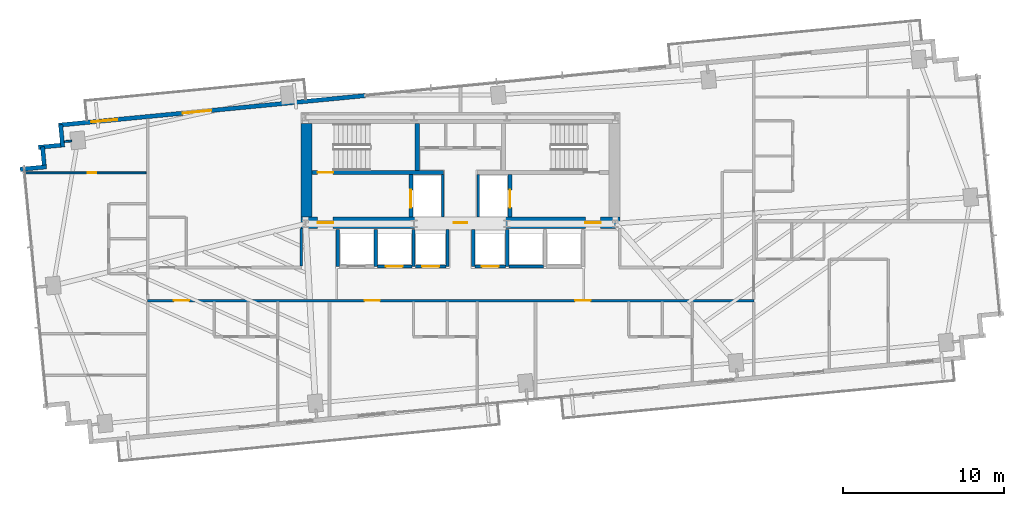
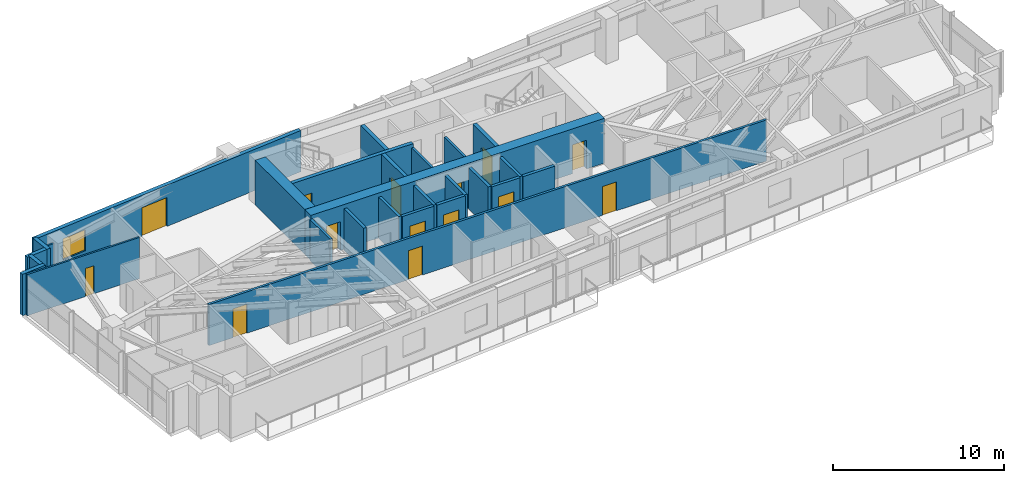
# One storey, part 22 of 27: 27 walls, 14 doors, 1 window, 15 openings.
"""IFC4 building model written with IfcOpenShell, lengths in metres."""

from ifc_helpers import new_model, si_unit, direction, frame, frame_2d, origin, place, context, subcontext, project, spatial, rectangle, extrude, source, transform, mapped, material, layer, layer_set, type_object, type_shapes, element, fill, save


model = new_model("IFC4")

# Units and contexts
model_context = context("Model", 3, precision=1e-05, world=origin(), true_north=direction((0.0, 1.0)))
body_context = subcontext(model_context, "Body", "Model", "MODEL_VIEW")
ifc_project = project(units=[si_unit("LENGTHUNIT", "METRE"), si_unit("AREAUNIT", "SQUARE_METRE"), si_unit("VOLUMEUNIT", "CUBIC_METRE"), si_unit("PLANEANGLEUNIT", "RADIAN"), si_unit("MASSUNIT", "GRAM", prefix="KILO")], contexts=[model_context])

# Site, building, storey
site_placement = place(None, origin())
site = spatial("IfcSite", under=ifc_project, at=site_placement, CompositionType="ELEMENT")
building_placement = place(site_placement, origin())
building = spatial("IfcBuilding", under=site, at=building_placement, Name="Astriad Promenade Condominiums", CompositionType="ELEMENT")
storey_placement = place(building_placement, frame((0.0, 0.0, 97.0)))
storey = spatial("IfcBuildingStorey", under=building, at=storey_placement, Name="L27", CompositionType="ELEMENT", Elevation=97.0)

# Wall, openings, doors
ifc_material_1 = material(Name="Concrete C60/75", Category="concrete")
ifc_layer_1 = layer(ifc_material_1, 0.699951171875)
ifc_layer_set_1 = layer_set([ifc_layer_1], Name="Concrete C60/75")
wall_type_1 = type_object("IfcWallType", Name="CW-SHEAR-700", PredefinedType="SHEAR", material=ifc_layer_set_1)
wall_1_placement = place(storey_placement, frame((26.10009765625, 17.449951171875, 0.0), z_axis=(0.0, 0.0, 1.0), x_axis=(1.0, 0.0, 0.0)))
wall_1 = element("IfcWall", 1, at=wall_1_placement, inside=storey, type_object=wall_type_1, Name="CW-CORE-S-L27", PredefinedType="SHEAR", context=body_context, shape_type="SweptSolid", body=[
    extrude(rectangle(XDim=19.7998046875, YDim=0.699951171875, at=frame_2d((9.89990234375, 0.0))), origin(), (0.0, 0.0, 1.0), 3.199951171875),
])
opening_1_placement = place(wall_1_placement, frame((1.050048828125, 0.0, 0.0)))
opening_1 = element("IfcOpeningElement", 2, at=opening_1_placement, cuts=wall_1, Name="Opening FD90-ST-095", PredefinedType="OPENING", context=body_context, shape_type="SweptSolid", body=[
    extrude(rectangle(XDim=0.949951171875, YDim=2.06005859375, at=frame_2d((0.47509765625, 1.030029296875))), frame((0.0, 0.35986328125, 0.0), z_axis=(0.0, -1.0, 0.0), x_axis=(1.0, 0.0, 0.0)), (0.0, 0.0, 1.0), 0.719970703125),
])
opening_2_placement = place(wall_1_placement, frame((9.47998046875, 0.0, 0.0)))
opening_2 = element("IfcOpeningElement", 3, at=opening_2_placement, cuts=wall_1, Name="Opening FD60-ULOW-085", PredefinedType="OPENING", context=body_context, shape_type="SweptSolid", body=[
    extrude(rectangle(XDim=0.85009765625, YDim=2.0, at=frame_2d((0.425048828125, 1.0))), frame((0.0, 0.35986328125, 0.0), z_axis=(0.0, -1.0, 0.0), x_axis=(1.0, 0.0, 0.0)), (0.0, 0.0, 1.0), 0.719970703125),
])
opening_3_placement = place(wall_1_placement, frame((17.64990234375, 0.0, 0.0)))
opening_3 = element("IfcOpeningElement", 4, at=opening_3_placement, cuts=wall_1, Name="Opening FD90-ST-095", PredefinedType="OPENING", context=body_context, shape_type="SweptSolid", body=[
    extrude(rectangle(XDim=0.949951171875, YDim=2.06005859375, at=frame_2d((0.47509765625, 1.030029296875))), frame((0.0, 0.35986328125, 0.0), z_axis=(0.0, -1.0, 0.0), x_axis=(1.0, 0.0, 0.0)), (0.0, 0.0, 1.0), 0.719970703125),
])
ifc_material_2 = material(Name="Fire-Rated Hollow Metal Stair Door")
door_type_1 = type_object("IfcDoorType", Name="FD90-ST-095", OperationType="NOTDEFINED", PredefinedType="DOOR", material=ifc_material_2)
shared_shape_1 = source(origin(), body_context, "Body", "SweptSolid", [
    extrude(rectangle(XDim=0.949951171875, YDim=2.06005859375, at=frame_2d((0.47509765625, 1.030029296875))), frame((0.0, 0.02490234375, 0.0), z_axis=(0.0, -1.0, 0.0), x_axis=(1.0, 0.0, 0.0)), (0.0, 0.0, 1.0), 0.050048828125),
])
type_shapes(door_type_1, [shared_shape_1])
door_1_placement = place(opening_1_placement, origin())
door_1 = element("IfcDoor", 5, at=door_1_placement, inside=storey, type_object=door_type_1, Name="D-FFW-L27", OperationType="SINGLE_SWING_LEFT", OverallHeight=2.06005859375, OverallWidth=0.949951171875, PredefinedType="DOOR", context=body_context, shape_type="MappedRepresentation", body=[
    mapped(shared_shape_1, transform((0.0, 0.0, 0.0), scale=1.0)),
])
fill(opening_1, door_1)
door_2_placement = place(opening_3_placement, origin())
door_2 = element("IfcDoor", 6, at=door_2_placement, inside=storey, type_object=door_type_1, Name="D-FFE-L27", OperationType="SINGLE_SWING_RIGHT", OverallHeight=2.06005859375, OverallWidth=0.949951171875, PredefinedType="DOOR", context=body_context, shape_type="MappedRepresentation", body=[
    mapped(shared_shape_1, transform((0.0, 0.0, 0.0), scale=1.0)),
])
fill(opening_3, door_2)
ifc_material_3 = material(Name="Solid-Core Low-Headroom Fire Door")
door_type_2 = type_object("IfcDoorType", Name="FD60-ULOW-085", OperationType="NOTDEFINED", PredefinedType="DOOR", material=ifc_material_3)
shared_shape_2 = source(origin(), body_context, "Body", "SweptSolid", [
    extrude(rectangle(XDim=0.85009765625, YDim=2.0, at=frame_2d((0.425048828125, 1.0))), frame((0.0, 0.02490234375, 0.0), z_axis=(0.0, -1.0, 0.0), x_axis=(1.0, 0.0, 0.0)), (0.0, 0.0, 1.0), 0.050048828125),
])
type_shapes(door_type_2, [shared_shape_2])
door_3_placement = place(opening_2_placement, origin())
door_3 = element("IfcDoor", 7, at=door_3_placement, inside=storey, type_object=door_type_2, Name="D-CSL-L27", OperationType="SINGLE_SWING_RIGHT", OverallHeight=2.0, OverallWidth=0.85009765625, PredefinedType="DOOR", context=body_context, shape_type="MappedRepresentation", body=[
    mapped(shared_shape_2, transform((0.0, 0.0, 0.0), scale=1.0)),
])
fill(opening_2, door_3)

# Wall
wall_2_placement = place(storey_placement, frame((26.449951171875, 17.802001953125, 0.0), z_axis=(0.0, 0.0, 1.0), x_axis=(0.0, 1.0, 0.0)))
element("IfcWall", 8, at=wall_2_placement, inside=storey, type_object=wall_type_1, Name="CW-CORE-W-L27", PredefinedType="SHEAR", context=body_context, shape_type="SweptSolid", body=[
    extrude(rectangle(XDim=5.7958984375, YDim=0.699951171875, at=frame_2d((2.89794921875, 0.0))), origin(), (0.0, 0.0, 1.0), 3.199951171875),
])

# Wall, opening, door
ifc_material_4 = material(Name="Concrete C50/60", Category="concrete")
ifc_layer_2 = layer(ifc_material_4, 0.25)
ifc_layer_set_2 = layer_set([ifc_layer_2], Name="Concrete C50/60")
wall_type_2 = type_object("IfcWallType", Name="WALL-CORE-INT-250", PredefinedType="SOLIDWALL", material=ifc_layer_set_2)
wall_3_placement = place(storey_placement, frame((26.802001953125, 20.574951171875, 0.0), z_axis=(0.0, 0.0, 1.0), x_axis=(1.0, 0.0, 0.0)))
wall_3 = element("IfcWall", 9, at=wall_3_placement, inside=storey, type_object=wall_type_2, Name="CW-INT-H1-L27", PredefinedType="SOLIDWALL", context=body_context, shape_type="SweptSolid", body=[
    extrude(rectangle(XDim=8.14794921875, YDim=0.25, at=frame_2d((4.073974609375, 0.0))), origin(), (0.0, 0.0, 1.0), 3.199951171875),
])
opening_4_placement = place(wall_3_placement, frame((0.347900390625, 0.0, 0.0)))
opening_4 = element("IfcOpeningElement", 10, at=opening_4_placement, cuts=wall_3, Name="Opening FD90-ST-095", PredefinedType="OPENING", context=body_context, shape_type="SweptSolid", body=[
    extrude(rectangle(XDim=0.949951171875, YDim=2.06005859375, at=frame_2d((0.47509765625, 1.030029296875))), frame((0.0, 0.135009765625, 0.0), z_axis=(0.0, -1.0, 0.0), x_axis=(1.0, 0.0, 0.0)), (0.0, 0.0, 1.0), 0.27001953125),
])
door_4_placement = place(opening_4_placement, origin())
door_4 = element("IfcDoor", 11, at=door_4_placement, inside=storey, type_object=door_type_1, Name="D-ST1-L27", OperationType="SINGLE_SWING_RIGHT", OverallHeight=2.06005859375, OverallWidth=0.949951171875, PredefinedType="DOOR", context=body_context, shape_type="MappedRepresentation", body=[
    mapped(shared_shape_1, transform((0.0, 0.0, 0.0), scale=1.0)),
])
fill(opening_4, door_4)

# Wall
wall_4_placement = place(storey_placement, frame((33.324951171875, 20.701904296875, 0.0), z_axis=(0.0, 0.0, 1.0), x_axis=(0.0, 1.0, 0.0)))
element("IfcWall", 12, at=wall_4_placement, inside=storey, type_object=wall_type_2, Name="CW-ST1-E-L27", PredefinedType="SOLIDWALL", context=body_context, shape_type="SweptSolid", body=[
    extrude(rectangle(XDim=2.89599609375, YDim=0.25, at=frame_2d((1.447998046875, 0.0))), origin(), (0.0, 0.0, 1.0), 3.199951171875),
])

# Wall, opening, door
wall_5_placement = place(storey_placement, frame((32.925048828125, 17.802001953125, 0.0), z_axis=(0.0, 0.0, 1.0), x_axis=(0.0, 1.0, 0.0)))
wall_5 = element("IfcWall", 13, at=wall_5_placement, inside=storey, type_object=wall_type_2, Name="CW-FFL1-W-L27", PredefinedType="SOLIDWALL", context=body_context, shape_type="SweptSolid", body=[
    extrude(rectangle(XDim=2.64599609375, YDim=0.25, at=frame_2d((1.322998046875, 0.0))), origin(), (0.0, 0.0, 1.0), 3.199951171875),
])
opening_5_placement = place(wall_5_placement, frame((0.597900390625, 0.0, 0.0)))
opening_5 = element("IfcOpeningElement", 14, at=opening_5_placement, cuts=wall_5, Name="Opening LD-FFL-1122", PredefinedType="OPENING", context=body_context, shape_type="SweptSolid", body=[
    extrude(rectangle(XDim=1.10009765625, YDim=2.080078125, at=frame_2d((0.550048828125, 1.0400390625))), frame((0.0, 0.135009765625, 0.0), z_axis=(0.0, -1.0, 0.0), x_axis=(1.0, 0.0, 0.0)), (0.0, 0.0, 1.0), 0.27001953125),
])
ifc_material_5 = material(Name="Brushed Stainless Steel Fire Elevator Landing Door", Category="steel")
door_type_3 = type_object("IfcDoorType", Name="LD-FFL-1122", OperationType="NOTDEFINED", PredefinedType="DOOR", material=ifc_material_5)
shared_shape_3 = source(origin(), body_context, "Body", "SweptSolid", [
    extrude(rectangle(XDim=1.10009765625, YDim=2.080078125, at=frame_2d((0.550048828125, 1.0400390625))), frame((0.0, 0.02490234375, 0.0), z_axis=(0.0, -1.0, 0.0), x_axis=(1.0, 0.0, 0.0)), (0.0, 0.0, 1.0), 0.050048828125),
])
type_shapes(door_type_3, [shared_shape_3])
door_5_placement = place(opening_5_placement, origin())
door_5 = element("IfcDoor", 15, at=door_5_placement, inside=storey, type_object=door_type_3, Name="Elevator Landing Door FFL-1 (L27)", OperationType="SLIDING_TO_LEFT", OverallHeight=2.080078125, OverallWidth=1.10009765625, PredefinedType="DOOR", context=body_context, shape_type="MappedRepresentation", body=[
    mapped(shared_shape_3, transform((0.0, 0.0, 0.0), scale=1.0)),
])
fill(opening_5, door_5)

wall_6_placement = place(storey_placement, frame((39.074951171875, 17.802001953125, 0.0), z_axis=(0.0, 0.0, 1.0), x_axis=(0.0, 1.0, 0.0)))
wall_6 = element("IfcWall", 16, at=wall_6_placement, inside=storey, type_object=wall_type_2, Name="CW-FFL2-E-L27", PredefinedType="SOLIDWALL", context=body_context, shape_type="SweptSolid", body=[
    extrude(rectangle(XDim=2.64599609375, YDim=0.25, at=frame_2d((1.322998046875, 0.0))), origin(), (0.0, 0.0, 1.0), 3.199951171875),
])
opening_6_placement = place(wall_6_placement, frame((0.597900390625, 0.0, 0.0)))
opening_6 = element("IfcOpeningElement", 17, at=opening_6_placement, cuts=wall_6, Name="Opening LD-FFL-1122", PredefinedType="OPENING", context=body_context, shape_type="SweptSolid", body=[
    extrude(rectangle(XDim=1.10009765625, YDim=2.080078125, at=frame_2d((0.550048828125, 1.0400390625))), frame((0.0, 0.135009765625, 0.0), z_axis=(0.0, -1.0, 0.0), x_axis=(1.0, 0.0, 0.0)), (0.0, 0.0, 1.0), 0.27001953125),
])
door_6_placement = place(opening_6_placement, origin())
door_6 = element("IfcDoor", 18, at=door_6_placement, inside=storey, type_object=door_type_3, Name="Elevator Landing Door FFL-2 (L27)", OperationType="SLIDING_TO_RIGHT", OverallHeight=2.080078125, OverallWidth=1.10009765625, PredefinedType="DOOR", context=body_context, shape_type="MappedRepresentation", body=[
    mapped(shared_shape_3, transform((0.0, 0.0, 0.0), scale=1.0)),
])
fill(opening_6, door_6)

# Walls
ifc_material_6 = material(Name="Fire-Rated Gypsum Partition")
ifc_layer_3 = layer(ifc_material_6, 0.159912109375)
ifc_layer_set_3 = layer_set([ifc_layer_3], Name="Fire-Rated Gypsum Partition")
wall_type_3 = type_object("IfcWallType", Name="WALL-CORR-160", PredefinedType="PARTITIONING", material=ifc_layer_set_3)
for number, where, z_axis, x_axis, name in (
    (19, (34.89990234375, 17.802001953125, 0.0), (0.0, 0.0, 1.0), (0.0, 1.0, 0.0), "CW-FFL1-E-L27"),
    (20, (37.10009765625, 17.802001953125, 0.0), (0.0, 0.0, 1.0), (0.0, 1.0, 0.0), "CW-FFL2-W-L27"),
):
    element("IfcWall", number, at=place(storey_placement, frame(where, z_axis=z_axis, x_axis=x_axis)), inside=storey, type_object=wall_type_3, Name=name, PredefinedType="PARTITIONING", context=body_context, shape_type="SweptSolid", body=[
        extrude(rectangle(XDim=2.64599609375, YDim=0.159912109375, at=frame_2d((1.322998046875, 0.0))), origin(), (0.0, 0.0, 1.0), 2.93994140625),
    ])

# Wall, openings, doors
wall_7_placement = place(storey_placement, frame((16.60009765625, 12.6298828125, 0.0), z_axis=(0.0, 0.0, 1.0), x_axis=(1.0, 0.0, 0.0)))
wall_7 = element("IfcWall", 21, at=wall_7_placement, inside=storey, type_object=wall_type_3, Name="PT-COR-S-L27", PredefinedType="PARTITIONING", context=body_context, shape_type="SweptSolid", body=[
    extrude(rectangle(XDim=37.599853515625, YDim=0.159912109375, at=frame_2d((18.7998046875, 0.0))), origin(), (0.0, 0.0, 1.0), 2.93994140625),
])
opening_7_placement = place(wall_7_placement, frame((1.6259765625, 0.0, 0.0)))
opening_7 = element("IfcOpeningElement", 22, at=opening_7_placement, cuts=wall_7, Name="Opening FD60-APT-095", PredefinedType="OPENING", context=body_context, shape_type="SweptSolid", body=[
    extrude(rectangle(XDim=0.949951171875, YDim=2.06005859375, at=frame_2d((0.47509765625, 1.030029296875))), frame((0.0, 0.08984375, 0.0), z_axis=(0.0, -1.0, 0.0), x_axis=(1.0, 0.0, 0.0)), (0.0, 0.0, 1.0), 0.179931640625),
])
opening_8_placement = place(wall_7_placement, frame((13.4599609375, 0.0, 0.0)))
opening_8 = element("IfcOpeningElement", 23, at=opening_8_placement, cuts=wall_7, Name="Opening FD60-APT-095", PredefinedType="OPENING", context=body_context, shape_type="SweptSolid", body=[
    extrude(rectangle(XDim=0.949951171875, YDim=2.06005859375, at=frame_2d((0.47509765625, 1.030029296875))), frame((0.0, 0.08984375, 0.0), z_axis=(0.0, -1.0, 0.0), x_axis=(1.0, 0.0, 0.0)), (0.0, 0.0, 1.0), 0.179931640625),
])
opening_9_placement = place(wall_7_placement, frame((26.52197265625, 0.0, 0.0)))
opening_9 = element("IfcOpeningElement", 24, at=opening_9_placement, cuts=wall_7, Name="Opening FD60-APT-095", PredefinedType="OPENING", context=body_context, shape_type="SweptSolid", body=[
    extrude(rectangle(XDim=0.949951171875, YDim=2.06005859375, at=frame_2d((0.47509765625, 1.030029296875))), frame((0.0, 0.08984375, 0.0), z_axis=(0.0, -1.0, 0.0), x_axis=(1.0, 0.0, 0.0)), (0.0, 0.0, 1.0), 0.179931640625),
])
ifc_material_7 = material(Name="Solid-Core Acoustic Timber Residence Entry Door", Category="wood")
door_type_4 = type_object("IfcDoorType", Name="FD60-APT-095", OperationType="NOTDEFINED", PredefinedType="DOOR", material=ifc_material_7)
shared_shape_4 = source(origin(), body_context, "Body", "SweptSolid", [
    extrude(rectangle(XDim=0.949951171875, YDim=2.06005859375, at=frame_2d((0.47509765625, 1.030029296875))), frame((0.0, 0.02490234375, 0.0), z_axis=(0.0, -1.0, 0.0), x_axis=(1.0, 0.0, 0.0)), (0.0, 0.0, 1.0), 0.050048828125),
])
type_shapes(door_type_4, [shared_shape_4])
door_7_placement = place(opening_7_placement, origin())
door_7 = element("IfcDoor", 25, at=door_7_placement, inside=storey, type_object=door_type_4, Name="D-ENT-L27-S1", OperationType="SINGLE_SWING_LEFT", OverallHeight=2.06005859375, OverallWidth=0.949951171875, PredefinedType="DOOR", context=body_context, shape_type="MappedRepresentation", body=[
    mapped(shared_shape_4, transform((0.0, 0.0, 0.0), scale=1.0)),
])
fill(opening_7, door_7)
door_8_placement = place(opening_8_placement, origin())
door_8 = element("IfcDoor", 26, at=door_8_placement, inside=storey, type_object=door_type_4, Name="D-ENT-L27-S2", OperationType="SINGLE_SWING_LEFT", OverallHeight=2.06005859375, OverallWidth=0.949951171875, PredefinedType="DOOR", context=body_context, shape_type="MappedRepresentation", body=[
    mapped(shared_shape_4, transform((0.0, 0.0, 0.0), scale=1.0)),
])
fill(opening_8, door_8)
door_9_placement = place(opening_9_placement, origin())
door_9 = element("IfcDoor", 27, at=door_9_placement, inside=storey, type_object=door_type_4, Name="D-ENT-L27-S3", OperationType="SINGLE_SWING_LEFT", OverallHeight=2.06005859375, OverallWidth=0.949951171875, PredefinedType="DOOR", context=body_context, shape_type="MappedRepresentation", body=[
    mapped(shared_shape_4, transform((0.0, 0.0, 0.0), scale=1.0)),
])
fill(opening_9, door_9)

# Walls
wall_8_placement = place(storey_placement, frame((26.1201171875, 14.761962890625, 0.0), z_axis=(0.0, 0.0, 1.0), x_axis=(0.0, 1.0, 0.0)))
element("IfcWall", 28, at=wall_8_placement, inside=storey, type_object=wall_type_3, Name="PT-WSPUR-W-L27", PredefinedType="PARTITIONING", context=body_context, shape_type="SweptSolid", body=[
    extrude(rectangle(XDim=2.3359375, YDim=0.159912109375, at=frame_2d((1.16796875, 0.0))), origin(), (0.0, 0.0, 1.0), 2.93994140625),
])
ifc_material_8 = material(Name="Precast concrete C50/60", Category="concrete")
ifc_layer_4 = layer(ifc_material_8, 0.260009765625)
ifc_layer_set_4 = layer_set([ifc_layer_4], Name="Precast concrete C50/60")
wall_type_4 = type_object("IfcWallType", Name="WALL-EXT-TWR-260", PredefinedType="STANDARD", material=ifc_layer_set_4)
wall_9_placement = place(storey_placement, frame((8.701416015625, 20.767333984375, 0.0), z_axis=(0.0, 0.0, 1.0), x_axis=(0.995394563142, 0.095862733462, 0.0)))
element("IfcWall", 29, at=wall_9_placement, inside=storey, type_object=wall_type_4, Name="W-SER-L27-04", PredefinedType="STANDARD", context=body_context, shape_type="SweptSolid", body=[
    extrude(rectangle(XDim=1.64013671875, YDim=0.260009765625, at=frame_2d((0.820068359375, 0.0))), origin(), (0.0, 0.0, 1.0), 2.93994140625),
])
wall_10_placement = place(storey_placement, frame((10.193359375, 21.026611328125, 0.0), z_axis=(0.0, 0.0, 1.0), x_axis=(-0.095740721699, 0.995406306092, 0.0)))
element("IfcWall", 30, at=wall_10_placement, inside=storey, type_object=wall_type_4, Name="W-SER-L27-05", PredefinedType="STANDARD", context=body_context, shape_type="SweptSolid", body=[
    extrude(rectangle(XDim=1.150146484375, YDim=0.260009765625, at=frame_2d((0.5751953125, 0.0))), origin(), (0.0, 0.0, 1.0), 2.93994140625),
])
wall_11_placement = place(storey_placement, frame((9.825927734375, 22.13134765625, 0.0), z_axis=(0.0, 0.0, 1.0), x_axis=(0.995389446633, 0.095915846097, 0.0)))
element("IfcWall", 31, at=wall_11_placement, inside=storey, type_object=wall_type_4, Name="W-SER-L27-06", PredefinedType="STANDARD", context=body_context, shape_type="SweptSolid", body=[
    extrude(rectangle(XDim=1.394775390625, YDim=0.260009765625, at=frame_2d((0.697265625, 0.0))), origin(), (0.0, 0.0, 1.0), 2.93994140625),
])
wall_12_placement = place(storey_placement, frame((11.34130859375, 22.146728515625, 0.0), z_axis=(0.0, 0.0, 1.0), x_axis=(-0.09589913835, 0.995391056452, 0.0)))
element("IfcWall", 32, at=wall_12_placement, inside=storey, type_object=wall_type_4, Name="W-SER-L27-07", PredefinedType="STANDARD", context=body_context, shape_type="SweptSolid", body=[
    extrude(rectangle(XDim=1.39501953125, YDim=0.260009765625, at=frame_2d((0.697509765625, 0.0))), origin(), (0.0, 0.0, 1.0), 2.93994140625),
])

# Wall, openings, door, window
wall_13_placement = place(storey_placement, frame((11.07958984375, 23.508056640625, 0.0), z_axis=(0.0, 0.0, 1.0), x_axis=(0.995396638587, 0.095841180552, 0.0)))
wall_13 = element("IfcWall", 33, at=wall_13_placement, inside=storey, type_object=wall_type_4, Name="W-EXT-L27-N1", PredefinedType="STANDARD", context=body_context, shape_type="SweptSolid", body=[
    extrude(rectangle(XDim=19.110107421875, YDim=0.260009765625, at=frame_2d((9.55517578125, 0.0))), origin(), (0.0, 0.0, 1.0), 2.93994140625),
])
opening_10_placement = place(wall_13_placement, frame((7.72607421875, 0.0, 0.0)))
opening_10 = element("IfcOpeningElement", 34, at=opening_10_placement, cuts=wall_13, Name="Opening BD-1822-SLD", PredefinedType="OPENING", context=body_context, shape_type="SweptSolid", body=[
    extrude(rectangle(XDim=1.800048828125, YDim=2.06005859375, at=frame_2d((0.89990234375, 1.030029296875))), frame((0.0, 0.139892578125, 0.0), z_axis=(0.0, -1.0, 0.0), x_axis=(1.0, 0.0, 0.0)), (0.0, 0.0, 1.0), 0.280029296875),
])
opening_11_placement = place(wall_13_placement, frame((2.050048828125, 0.0, 0.64990234375)))
opening_11 = element("IfcOpeningElement", 35, at=opening_11_placement, cuts=wall_13, Name="Opening WIN-TWR-1620", PredefinedType="OPENING", context=body_context, shape_type="SweptSolid", body=[
    extrude(rectangle(XDim=1.60009765625, YDim=1.5, at=frame_2d((0.800048828125, 0.75))), frame((0.0, 0.139892578125, 0.0), z_axis=(0.0, -1.0, 0.0), x_axis=(1.0, 0.0, 0.0)), (0.0, 0.0, 1.0), 0.280029296875),
])
ifc_material_9 = material(Name="Thermally Broken Aluminium Sliding Balcony Door", Category="aluminium")
door_type_5 = type_object("IfcDoorType", Name="BD-1822-SLD", OperationType="NOTDEFINED", PredefinedType="DOOR", material=ifc_material_9)
shared_shape_5 = source(origin(), body_context, "Body", "SweptSolid", [
    extrude(rectangle(XDim=1.800048828125, YDim=2.06005859375, at=frame_2d((0.89990234375, 1.030029296875))), frame((0.0, 0.02490234375, 0.0), z_axis=(0.0, -1.0, 0.0), x_axis=(1.0, 0.0, 0.0)), (0.0, 0.0, 1.0), 0.050048828125),
])
type_shapes(door_type_5, [shared_shape_5])
door_10_placement = place(opening_10_placement, origin())
door_10 = element("IfcDoor", 36, at=door_10_placement, inside=storey, type_object=door_type_5, Name="BD-L27-NW", OperationType="SLIDING_TO_LEFT", OverallHeight=2.06005859375, OverallWidth=1.800048828125, PredefinedType="DOOR", context=body_context, shape_type="MappedRepresentation", body=[
    mapped(shared_shape_5, transform((0.0, 0.0, 0.0), scale=1.0)),
])
fill(opening_10, door_10)
ifc_material_10 = material(Name="Dark Tinted Triple-Glazed Aluminium Window", Category="aluminium")
window_type = type_object("IfcWindowType", Name="WIN-TWR-1620", PartitioningType="SINGLE_PANEL", PredefinedType="WINDOW", material=ifc_material_10)
shared_shape_6 = source(origin(), body_context, "Body", "SweptSolid", [
    extrude(rectangle(XDim=1.60009765625, YDim=1.5, at=frame_2d((0.800048828125, 0.75))), frame((0.0, 0.030029296875, 0.0), z_axis=(0.0, -1.0, 0.0), x_axis=(1.0, 0.0, 0.0)), (0.0, 0.0, 1.0), 0.06005859375),
])
type_shapes(window_type, [shared_shape_6])
window_placement = place(opening_11_placement, origin())
window = element("IfcWindow", 37, at=window_placement, inside=storey, type_object=window_type, Name="WIN-L27-NW", OverallHeight=1.5, OverallWidth=1.60009765625, PartitioningType="SINGLE_PANEL", PredefinedType="WINDOW", context=body_context, shape_type="MappedRepresentation", body=[
    mapped(shared_shape_6, transform((0.0, 0.0, 0.0), scale=1.0)),
])
fill(opening_11, window)

# Wall, opening, door
ifc_material_11 = material(Name="Acoustic Metal-Stud Gypsum Partition")
ifc_layer_5 = layer(ifc_material_11, 0.1201171875)
ifc_layer_set_5 = layer_set([ifc_layer_5], Name="Acoustic Metal-Stud Gypsum Partition")
wall_type_5 = type_object("IfcWallType", Name="WALL-PART-120", PredefinedType="PARTITIONING", material=ifc_layer_set_5)
wall_14_placement = place(storey_placement, frame((8.93310546875, 20.552001953125, 0.0), z_axis=(0.0, 0.0, 1.0), x_axis=(1.0, 0.0, 0.0)))
wall_14 = element("IfcWall", 38, at=wall_14_placement, inside=storey, type_object=wall_type_5, Name="PT-L27-W1-B1", PredefinedType="PARTITIONING", context=body_context, shape_type="SweptSolid", body=[
    extrude(rectangle(XDim=7.5849609375, YDim=0.1201171875, at=frame_2d((3.79248046875, 0.0))), origin(), (0.0, 0.0, 1.0), 2.93994140625),
])
opening_12_placement = place(wall_14_placement, frame((3.94384765625, 0.0, 0.0)))
opening_12 = element("IfcOpeningElement", 39, at=opening_12_placement, cuts=wall_14, Name="Opening D-AC-055", PredefinedType="OPENING", context=body_context, shape_type="SweptSolid", body=[
    extrude(rectangle(XDim=0.550048828125, YDim=2.0, at=frame_2d((0.27490234375, 1.0))), frame((0.0, 0.070068359375, 0.0), z_axis=(0.0, -1.0, 0.0), x_axis=(1.0, 0.0, 0.0)), (0.0, 0.0, 1.0), 0.14013671875),
])
ifc_material_12 = material(Name="Painted Timber Access Door", Category="wood")
door_type_6 = type_object("IfcDoorType", Name="D-AC-055", OperationType="NOTDEFINED", PredefinedType="DOOR", material=ifc_material_12)
shared_shape_7 = source(origin(), body_context, "Body", "SweptSolid", [
    extrude(rectangle(XDim=0.550048828125, YDim=2.0, at=frame_2d((0.27490234375, 1.0))), frame((0.0, 0.02490234375, 0.0), z_axis=(0.0, -1.0, 0.0), x_axis=(1.0, 0.0, 0.0)), (0.0, 0.0, 1.0), 0.050048828125),
])
type_shapes(door_type_6, [shared_shape_7])
door_11_placement = place(opening_12_placement, origin())
door_11 = element("IfcDoor", 40, at=door_11_placement, inside=storey, type_object=door_type_6, Name="D-BD1-L27-W1", OperationType="SINGLE_SWING_RIGHT", OverallHeight=2.0, OverallWidth=0.550048828125, PredefinedType="DOOR", context=body_context, shape_type="MappedRepresentation", body=[
    mapped(shared_shape_7, transform((0.0, 0.0, 0.0), scale=1.0)),
])
fill(opening_12, door_11)

# Walls
wall_15_placement = place(storey_placement, frame((11.89697265625, 22.53173828125, 0.0), z_axis=(0.0, 0.0, 1.0), x_axis=(-0.995384576284, -0.09596637586, 0.0)))
element("IfcWall", 41, at=wall_15_placement, inside=storey, type_object=wall_type_5, Name="PT-PIL-L27-PC06-13", PredefinedType="PARTITIONING", context=body_context, shape_type="SweptSolid", body=[
    extrude(rectangle(XDim=0.4580078125, YDim=0.1201171875, at=frame_2d((0.22900390625, 0.0))), origin(), (0.0, 0.0, 1.0), 2.93994140625),
])
ifc_material_13 = material(Name="Gypsum Shaftliner Assembly")
ifc_layer_6 = layer(ifc_material_13, 0.199951171875)
ifc_layer_set_6 = layer_set([ifc_layer_6], Name="Gypsum Shaftliner Assembly")
wall_type_6 = type_object("IfcWallType", Name="WALL-SHAFT-200", PredefinedType="PARTITIONING", material=ifc_layer_set_6)
for number, where, z_axis, x_axis, name in (
    (42, (28.39990234375, 14.75, 0.0), (0.0, 0.0, 1.0), (0.0, 1.0, 0.0), "PL-W-OUT-L27"),
    (43, (30.75, 14.75, 0.0), (0.0, 0.0, 1.0), (0.0, 1.0, 0.0), "PL-L-DIV-L27"),
    (44, (33.10009765625, 14.75, 0.0), (0.0, 0.0, 1.0), (0.0, 1.0, 0.0), "PL-LM-DIV-L27"),
):
    element("IfcWall", number, at=place(storey_placement, frame(where, z_axis=z_axis, x_axis=x_axis)), inside=storey, type_object=wall_type_6, Name=name, PredefinedType="PARTITIONING", context=body_context, shape_type="SweptSolid", body=[
        extrude(rectangle(XDim=2.300048828125, YDim=0.199951171875, at=frame_2d((1.14990234375, 0.0))), origin(), (0.0, 0.0, 1.0), 2.93994140625),
    ])

# Wall, opening, door
wall_16_placement = place(storey_placement, frame((30.85205078125, 14.75, 0.0), z_axis=(0.0, 0.0, 1.0), x_axis=(1.0, 0.0, 0.0)))
wall_16 = element("IfcWall", 45, at=wall_16_placement, inside=storey, type_object=wall_type_6, Name="PL-L-FRT-L27-S2", PredefinedType="PARTITIONING", context=body_context, shape_type="SweptSolid", body=[
    extrude(rectangle(XDim=2.14599609375, YDim=0.199951171875, at=frame_2d((1.072998046875, 0.0))), origin(), (0.0, 0.0, 1.0), 2.93994140625),
])
opening_13_placement = place(wall_16_placement, frame((0.52294921875, 0.0, 0.0)))
opening_13 = element("IfcOpeningElement", 46, at=opening_13_placement, cuts=wall_16, Name="Opening LD-PL-10522", PredefinedType="OPENING", context=body_context, shape_type="SweptSolid", body=[
    extrude(rectangle(XDim=1.050048828125, YDim=2.080078125, at=frame_2d((0.52490234375, 1.0400390625))), frame((0.0, 0.10986328125, 0.0), z_axis=(0.0, -1.0, 0.0), x_axis=(1.0, 0.0, 0.0)), (0.0, 0.0, 1.0), 0.219970703125),
])
ifc_material_14 = material(Name="Brushed Bronze Passenger Elevator Landing Door")
door_type_7 = type_object("IfcDoorType", Name="LD-PL-10522", OperationType="NOTDEFINED", PredefinedType="DOOR", material=ifc_material_14)
shared_shape_8 = source(origin(), body_context, "Body", "SweptSolid", [
    extrude(rectangle(XDim=1.050048828125, YDim=2.080078125, at=frame_2d((0.52490234375, 1.0400390625))), frame((0.0, 0.02490234375, 0.0), z_axis=(0.0, -1.0, 0.0), x_axis=(1.0, 0.0, 0.0)), (0.0, 0.0, 1.0), 0.050048828125),
])
type_shapes(door_type_7, [shared_shape_8])
door_12_placement = place(opening_13_placement, origin())
door_12 = element("IfcDoor", 47, at=door_12_placement, inside=storey, type_object=door_type_7, Name="Elevator Landing Door PL-L2 (L27)", OperationType="SLIDING_TO_RIGHT", OverallHeight=2.080078125, OverallWidth=1.050048828125, PredefinedType="DOOR", context=body_context, shape_type="MappedRepresentation", body=[
    mapped(shared_shape_8, transform((0.0, 0.0, 0.0), scale=1.0)),
])
fill(opening_13, door_12)

# Wall
wall_17_placement = place(storey_placement, frame((35.199951171875, 14.75, 0.0), z_axis=(0.0, 0.0, 1.0), x_axis=(0.0, 1.0, 0.0)))
element("IfcWall", 48, at=wall_17_placement, inside=storey, type_object=wall_type_6, Name="PL-M1-E-L27", PredefinedType="PARTITIONING", context=body_context, shape_type="SweptSolid", body=[
    extrude(rectangle(XDim=2.300048828125, YDim=0.199951171875, at=frame_2d((1.14990234375, 0.0))), origin(), (0.0, 0.0, 1.0), 2.93994140625),
])

# Wall, opening, door
wall_18_placement = place(storey_placement, frame((33.201904296875, 14.75, 0.0), z_axis=(0.0, 0.0, 1.0), x_axis=(1.0, 0.0, 0.0)))
wall_18 = element("IfcWall", 49, at=wall_18_placement, inside=storey, type_object=wall_type_6, Name="PL-M1-F-L27", PredefinedType="PARTITIONING", context=body_context, shape_type="SweptSolid", body=[
    extrude(rectangle(XDim=1.89599609375, YDim=0.199951171875, at=frame_2d((0.947998046875, 0.0))), origin(), (0.0, 0.0, 1.0), 2.93994140625),
])
opening_14_placement = place(wall_18_placement, frame((0.423095703125, 0.0, 0.0)))
opening_14 = element("IfcOpeningElement", 50, at=opening_14_placement, cuts=wall_18, Name="Opening LD-PL-10522", PredefinedType="OPENING", context=body_context, shape_type="SweptSolid", body=[
    extrude(rectangle(XDim=1.050048828125, YDim=2.080078125, at=frame_2d((0.52490234375, 1.0400390625))), frame((0.0, 0.10986328125, 0.0), z_axis=(0.0, -1.0, 0.0), x_axis=(1.0, 0.0, 0.0)), (0.0, 0.0, 1.0), 0.219970703125),
])
door_13_placement = place(opening_14_placement, origin())
door_13 = element("IfcDoor", 51, at=door_13_placement, inside=storey, type_object=door_type_7, Name="Elevator Landing Door PL-M1 (L27)", OperationType="SLIDING_TO_LEFT", OverallHeight=2.080078125, OverallWidth=1.050048828125, PredefinedType="DOOR", context=body_context, shape_type="MappedRepresentation", body=[
    mapped(shared_shape_8, transform((0.0, 0.0, 0.0), scale=1.0)),
])
fill(opening_14, door_13)

# Walls
for number, where, z_axis, x_axis, name in (
    (52, (36.800048828125, 14.75, 0.0), (0.0, 0.0, 1.0), (0.0, 1.0, 0.0), "PL-M2-W-L27"),
    (53, (38.89990234375, 14.75, 0.0), (0.0, 0.0, 1.0), (0.0, 1.0, 0.0), "PL-MH-DIV-L27"),
):
    element("IfcWall", number, at=place(storey_placement, frame(where, z_axis=z_axis, x_axis=x_axis)), inside=storey, type_object=wall_type_6, Name=name, PredefinedType="PARTITIONING", context=body_context, shape_type="SweptSolid", body=[
        extrude(rectangle(XDim=2.300048828125, YDim=0.199951171875, at=frame_2d((1.14990234375, 0.0))), origin(), (0.0, 0.0, 1.0), 2.93994140625),
    ])

# Wall, opening, door
wall_19_placement = place(storey_placement, frame((36.902099609375, 14.75, 0.0), z_axis=(0.0, 0.0, 1.0), x_axis=(1.0, 0.0, 0.0)))
wall_19 = element("IfcWall", 54, at=wall_19_placement, inside=storey, type_object=wall_type_6, Name="PL-M2-F-L27", PredefinedType="PARTITIONING", context=body_context, shape_type="SweptSolid", body=[
    extrude(rectangle(XDim=1.89599609375, YDim=0.199951171875, at=frame_2d((0.947998046875, 0.0))), origin(), (0.0, 0.0, 1.0), 2.93994140625),
])
opening_15_placement = place(wall_19_placement, frame((0.423095703125, 0.0, 0.0)))
opening_15 = element("IfcOpeningElement", 55, at=opening_15_placement, cuts=wall_19, Name="Opening LD-PL-10522", PredefinedType="OPENING", context=body_context, shape_type="SweptSolid", body=[
    extrude(rectangle(XDim=1.050048828125, YDim=2.080078125, at=frame_2d((0.52490234375, 1.0400390625))), frame((0.0, 0.10986328125, 0.0), z_axis=(0.0, -1.0, 0.0), x_axis=(1.0, 0.0, 0.0)), (0.0, 0.0, 1.0), 0.219970703125),
])
door_14_placement = place(opening_15_placement, origin())
door_14 = element("IfcDoor", 56, at=door_14_placement, inside=storey, type_object=door_type_7, Name="Elevator Landing Door PL-M2 (L27)", OperationType="SLIDING_TO_RIGHT", OverallHeight=2.080078125, OverallWidth=1.050048828125, PredefinedType="DOOR", context=body_context, shape_type="MappedRepresentation", body=[
    mapped(shared_shape_8, transform((0.0, 0.0, 0.0), scale=1.0)),
])
fill(opening_15, door_14)

# Wall
wall_20_placement = place(storey_placement, frame((39.001953125, 14.75, 0.0), z_axis=(0.0, 0.0, 1.0), x_axis=(1.0, 0.0, 0.0)))
element("IfcWall", 57, at=wall_20_placement, inside=storey, type_object=wall_type_6, Name="PL-H-FRT-L27", PredefinedType="PARTITIONING", context=body_context, shape_type="SweptSolid", body=[
    extrude(rectangle(XDim=2.14599609375, YDim=0.199951171875, at=frame_2d((1.072998046875, 0.0))), origin(), (0.0, 0.0, 1.0), 2.93994140625),
])

save(model, "model.ifc")
